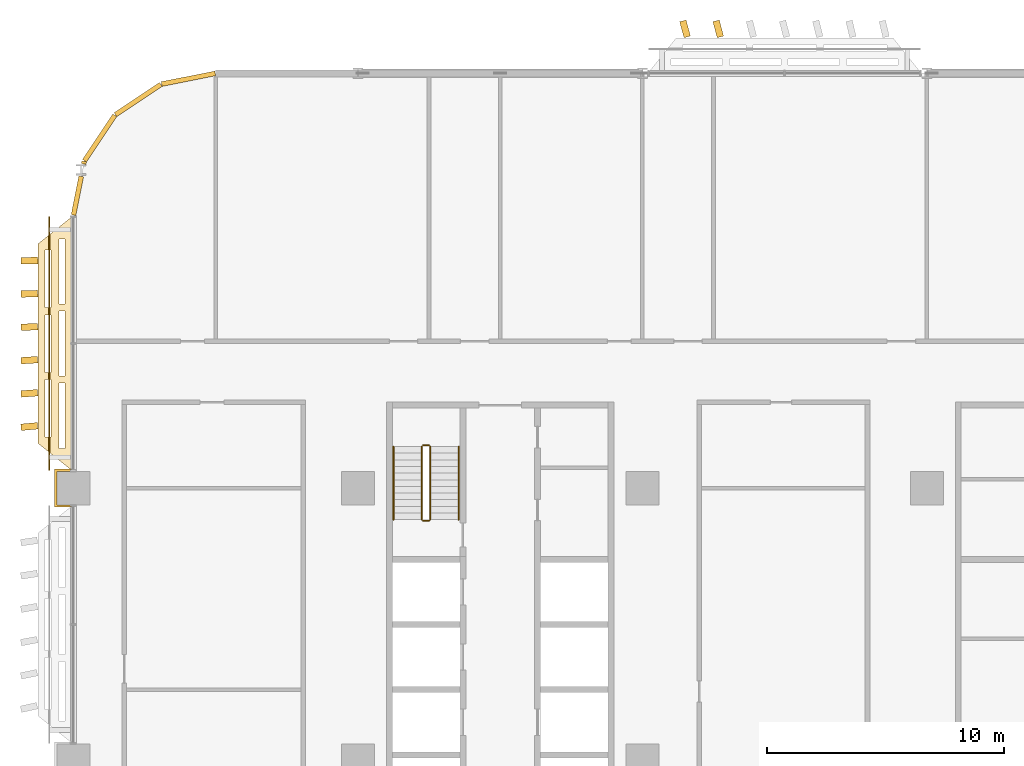
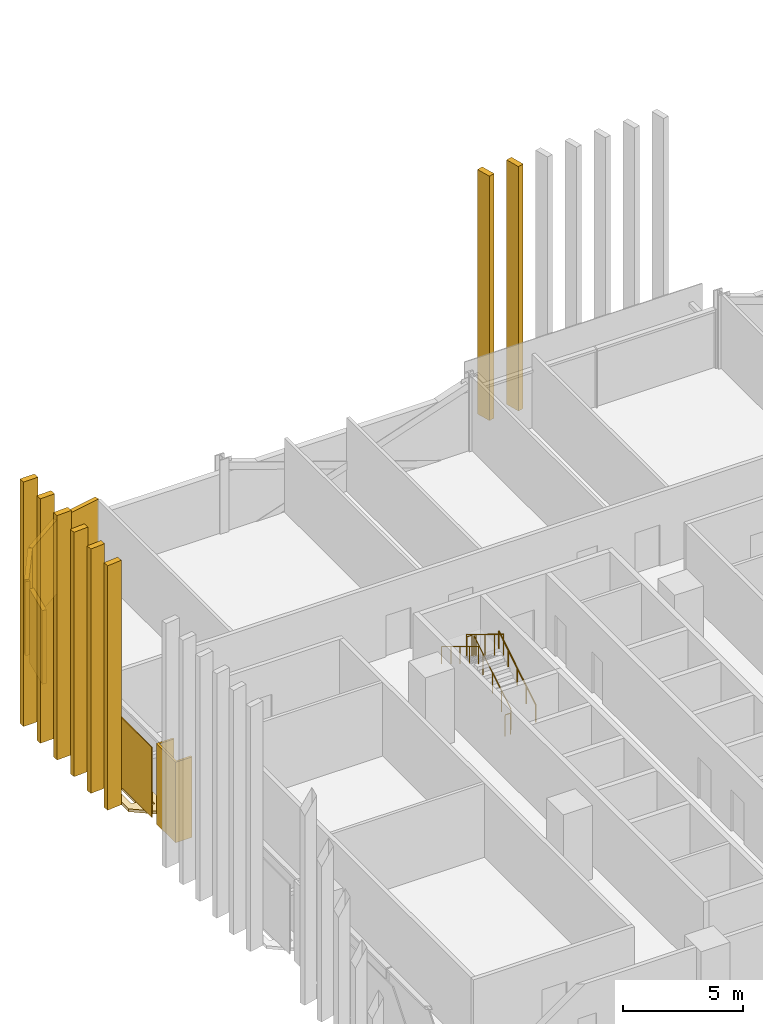
# One storey, part 26 of 31: 16 coverings, 6 railings.
"""IFC4 building model written with IfcOpenShell, lengths in metres."""

from ifc_helpers import new_model, si_unit, direction, frame, origin, origin_2d, place, context, subcontext, project, spatial, polyline, rectangle, circle, outline, extrude, material, layer, layer_set, type_object, element, save


model = new_model("IFC4")

# Units and contexts
model_context = context("Model", 3, precision=1e-05, world=origin(), true_north=direction((0.0, 1.0)))
body_context = subcontext(model_context, "Body", "Model", "MODEL_VIEW")
ifc_project = project(units=[si_unit("LENGTHUNIT", "METRE"), si_unit("AREAUNIT", "SQUARE_METRE"), si_unit("VOLUMEUNIT", "CUBIC_METRE"), si_unit("PLANEANGLEUNIT", "RADIAN"), si_unit("MASSUNIT", "GRAM", prefix="KILO")], contexts=[model_context])

# Site, building, storey
site_placement = place(None, origin())
site = spatial("IfcSite", under=ifc_project, at=site_placement, CompositionType="ELEMENT")
building_placement = place(site_placement, origin())
building = spatial("IfcBuilding", under=site, at=building_placement, Name="Mahtab Terrace Research Tower", CompositionType="ELEMENT")
storey_placement = place(building_placement, frame((0.0, 0.0, 84.800048828125)))
storey = spatial("IfcBuildingStorey", under=building, at=storey_placement, Name="L19", CompositionType="ELEMENT", Elevation=84.800048828125)

# Coverings
ifc_material_1 = material(Name="Black aluminium cladding panel", Category="aluminium")
ifc_layer_1 = layer(ifc_material_1, 0.199951171875)
ifc_layer_set_1 = layer_set([ifc_layer_1], Name="Black metal corner cladding 200")
covering_type_1 = type_object("IfcCoveringType", Name="Black metal corner cladding 200", PredefinedType="CLADDING", material=ifc_layer_set_1)
for number, where, z_axis, x_axis, name in (
    (1, (-37.14794921875, 28.771484375, 0.0), (0.0, 0.0, 1.0), (-0.980760981187, -0.195212442692, 0.0), "Corner cladding L19 11"),
    (2, (-39.26953125, 27.89306640625, 0.0), (0.0, 0.0, 1.0), (-0.831655794326, -0.555291490808, 0.0), "Corner cladding L19 12"),
    (3, (-40.89306640625, 26.26953125, 0.0), (0.0, 0.0, 1.0), (-0.555291490808, -0.831655794326, 0.0), "Corner cladding L19 13"),
):
    element("IfcCovering", number, at=place(storey_placement, frame(where, z_axis=z_axis, x_axis=x_axis)), inside=storey, type_object=covering_type_1, Name=name, PredefinedType="CLADDING", context=body_context, shape_type="SweptSolid", body=[
        extrude(rectangle(XDim=2.30126953125, YDim=0.199951171875, at=origin_2d()), origin(), (0.0, 0.0, 1.0), 3.760009765625),
    ])
covering_1_placement = place(storey_placement, frame((-41.5556640625, 25.231689453125, 0.0), z_axis=(0.0, 0.0, 1.0), x_axis=(-0.195212442692, -0.980760981187, 0.0)))
element("IfcCovering", 4, at=covering_1_placement, inside=storey, type_object=covering_type_1, Name="Corner cladding L19 14", PredefinedType="CLADDING", context=body_context, shape_type="SweptSolid", body=[
    extrude(rectangle(XDim=0.11083984375, YDim=0.199951171875, at=origin_2d()), origin(), (0.0, 0.0, 1.0), 3.760009765625),
])
covering_2_placement = place(storey_placement, frame((-41.833740234375, 23.83544921875, 0.0), z_axis=(0.0, 0.0, 1.0), x_axis=(-0.195212442692, -0.980760981187, 0.0)))
element("IfcCovering", 5, at=covering_2_placement, inside=storey, type_object=covering_type_1, Name="Corner cladding L19 15", PredefinedType="CLADDING", context=body_context, shape_type="SweptSolid", body=[
    extrude(rectangle(XDim=1.6640625, YDim=0.199951171875, at=origin_2d()), origin(), (0.0, 0.0, 1.0), 3.760009765625),
])
ifc_material_2 = material(Name="Dark anodised aluminium cladding", Category="aluminium")
ifc_layer_2 = layer(ifc_material_2, 0.10009765625)
ifc_layer_set_2 = layer_set([ifc_layer_2], Name="Column casing 100")
covering_type_2 = type_object("IfcCoveringType", Name="Column casing 100", PredefinedType="CLADDING", material=ifc_layer_set_2)
covering_3_placement = place(storey_placement, frame((0.0, 0.0, -0.340087890625)))
element("IfcCovering", 6, at=covering_3_placement, inside=storey, type_object=covering_type_2, Name="Column casing RC-1C L19", PredefinedType="CLADDING", context=body_context, shape_type="SweptSolid", body=[
    extrude(outline(polyline([(-42.800048828125, 12.300048828125), (-42.0, 12.300048828125), (-42.0, 12.199951171875), (-42.699951171875, 12.199951171875), (-42.699951171875, 10.800048828125), (-42.0, 10.800048828125), (-42.0, 10.699951171875), (-42.800048828125, 10.699951171875), (-42.800048828125, 12.300048828125)])), origin(), (0.0, 0.0, 1.0), 4.10009765625),
])
ifc_material_3 = material(Name="Black anodised aluminium", Category="aluminium")
ifc_layer_3 = layer(ifc_material_3, 0.14990234375)
ifc_layer_set_3 = layer_set([ifc_layer_3], Name="Horizontal sunshade band")
covering_type_3 = type_object("IfcCoveringType", Name="Horizontal sunshade band", PredefinedType="CLADDING", material=ifc_layer_set_3)
covering_4_placement = place(storey_placement, frame((0.0, 0.0, -0.150146484375)))
element("IfcCovering", 7, at=covering_4_placement, inside=storey, type_object=covering_type_3, Name="Sunshade band L19 16", PredefinedType="CLADDING", context=body_context, shape_type="SweptSolid", body=[
    extrude(outline(polyline([(-42.0, 23.0), (-42.0, 12.199951171875), (-43.5, 13.39990234375), (-43.5, 21.800048828125), (-42.0, 23.0)]), holes=[polyline([(-42.35009765625, 22.02001953125), (-42.35009765625, 19.27294921875), (-42.60009765625, 19.27294921875), (-42.60009765625, 22.02001953125), (-42.35009765625, 22.02001953125)]), polyline([(-42.35009765625, 18.972900390625), (-42.35009765625, 16.22705078125), (-42.60009765625, 16.22705078125), (-42.60009765625, 18.972900390625), (-42.35009765625, 18.972900390625)]), polyline([(-42.35009765625, 15.927001953125), (-42.35009765625, 13.179931640625), (-42.60009765625, 13.179931640625), (-42.60009765625, 15.927001953125), (-42.35009765625, 15.927001953125)]), polyline([(-42.949951171875, 21.5400390625), (-42.949951171875, 19.113037109375), (-43.199951171875, 19.113037109375), (-43.199951171875, 21.5400390625), (-42.949951171875, 21.5400390625)]), polyline([(-42.949951171875, 18.81298828125), (-42.949951171875, 16.386962890625), (-43.199951171875, 16.386962890625), (-43.199951171875, 18.81298828125), (-42.949951171875, 18.81298828125)]), polyline([(-42.949951171875, 16.0869140625), (-42.949951171875, 13.659912109375), (-43.199951171875, 13.659912109375), (-43.199951171875, 16.0869140625), (-42.949951171875, 16.0869140625)])]), origin(), (0.0, 0.0, 1.0), 0.150146484375),
])
ifc_material_4 = material(Name="Bronze anodised aluminium", Category="aluminium")
ifc_layer_4 = layer(ifc_material_4, 0.050048828125)
ifc_layer_set_4 = layer_set([ifc_layer_4], Name="Sky lounge girih screen panel")
covering_type_4 = type_object("IfcCoveringType", Name="Sky lounge girih screen panel", PredefinedType="CLADDING", material=ifc_layer_set_4)
covering_5_placement = place(storey_placement, frame((-43.02490234375, 17.60009765625, 0.099853515625), z_axis=(0.0, 0.0, 1.0), x_axis=(0.0, -1.0, 0.0)))
element("IfcCovering", 8, at=covering_5_placement, inside=storey, type_object=covering_type_4, Name="Girih screen L19 W17", PredefinedType="CLADDING", context=body_context, shape_type="SweptSolid", body=[
    extrude(rectangle(XDim=10.699951171875, YDim=0.050048828125, at=origin_2d()), origin(), (0.0, 0.0, 1.0), 3.56005859375),
])

# Railings
ifc_material_5 = material(Name="Stainless steel AISI 304", Category="steel")
railing_type_1 = type_object("IfcRailingType", Name="Stair guard 1100", PredefinedType="GUARDRAIL", material=ifc_material_5)
railing_1_placement = place(storey_placement, frame((-26.949951171875, 10.175048828125, 0.1708984375)))
element("IfcRailing", 9, at=railing_1_placement, inside=storey, type_object=railing_type_1, Name="L19 ST1 stair guard 1", PredefinedType="GUARDRAIL", context=body_context, shape_type="SweptSolid", body=[
    extrude(circle(Radius=0.02392578125, at=origin_2d()), frame((0.0, 0.0, 1.076171875), z_axis=(0.0, 0.853647949592, 0.520850437417), x_axis=(-1.0, 0.0, 0.0)), (0.0, 0.0, 1.0), 3.60791015625),
    extrude(circle(Radius=0.02099609375, at=origin_2d()), origin(), (0.0, 0.0, 1.0), 1.052001953125),
    extrude(circle(Radius=0.02099609375, at=origin_2d()), frame((0.0, 0.77001953125, 0.4697265625)), (0.0, 0.0, 1.0), 1.052001953125),
    extrude(circle(Radius=0.02099609375, at=origin_2d()), frame((0.0, 1.5400390625, 0.939453125)), (0.0, 0.0, 1.0), 1.052001953125),
    extrude(circle(Radius=0.02099609375, at=origin_2d()), frame((0.0, 2.309814453125, 1.409423828125)), (0.0, 0.0, 1.0), 1.052001953125),
    extrude(circle(Radius=0.02099609375, at=origin_2d()), frame((0.0, 3.079833984375, 1.879150390625)), (0.0, 0.0, 1.0), 1.052001953125),
])
railing_2_placement = place(storey_placement, frame((-27.0, 13.304931640625, 2.050048828125)))
element("IfcRailing", 10, at=railing_2_placement, inside=storey, type_object=railing_type_1, Name="L19 ST1 stair guard 2", PredefinedType="GUARDRAIL", context=body_context, shape_type="SweptSolid", body=[
    extrude(circle(Radius=0.02392578125, at=origin_2d()), frame((0.0, 0.0, 1.076171875), z_axis=(-1.0, 0.0, 0.0), x_axis=(0.0, -1.0, 0.0)), (0.0, 0.0, 1.0), 0.25),
    extrude(circle(Radius=0.02099609375, at=origin_2d()), origin(), (0.0, 0.0, 1.0), 1.052001953125),
    extrude(circle(Radius=0.02099609375, at=origin_2d()), frame((-0.25, 0.0, 0.0)), (0.0, 0.0, 1.0), 1.052001953125),
])
railing_3_placement = place(storey_placement, frame((-27.300048828125, 13.2548828125, 2.220703125)))
element("IfcRailing", 11, at=railing_3_placement, inside=storey, type_object=railing_type_1, Name="L19 ST1 stair guard 3", PredefinedType="GUARDRAIL", context=body_context, shape_type="SweptSolid", body=[
    extrude(circle(Radius=0.02392578125, at=origin_2d()), frame((0.0, 0.0, 1.076171875), z_axis=(0.0, -0.853647949592, 0.520850437417), x_axis=(1.0, 0.0, 0.0)), (0.0, 0.0, 1.0), 3.60791015625),
    extrude(circle(Radius=0.02099609375, at=origin_2d()), origin(), (0.0, 0.0, 1.0), 1.052001953125),
    extrude(circle(Radius=0.02099609375, at=origin_2d()), frame((0.0, -0.77001953125, 0.4697265625)), (0.0, 0.0, 1.0), 1.052001953125),
    extrude(circle(Radius=0.02099609375, at=origin_2d()), frame((0.0, -1.5400390625, 0.939453125)), (0.0, 0.0, 1.0), 1.052001953125),
    extrude(circle(Radius=0.02099609375, at=origin_2d()), frame((0.0, -2.309814453125, 1.409423828125)), (0.0, 0.0, 1.0), 1.052001953125),
    extrude(circle(Radius=0.02099609375, at=origin_2d()), frame((0.0, -3.079833984375, 1.879150390625)), (0.0, 0.0, 1.0), 1.052001953125),
])
railing_4_placement = place(storey_placement, frame((-27.0, 10.125, 0.0)))
element("IfcRailing", 12, at=railing_4_placement, inside=storey, type_object=railing_type_1, Name="L19 ST1 stair guard 4", PredefinedType="GUARDRAIL", context=body_context, shape_type="SweptSolid", body=[
    extrude(circle(Radius=0.02392578125, at=origin_2d()), frame((0.0, 0.0, 1.076171875), z_axis=(-1.0, 0.0, 0.0), x_axis=(0.0, -1.0, 0.0)), (0.0, 0.0, 1.0), 0.25),
    extrude(circle(Radius=0.02099609375, at=origin_2d()), origin(), (0.0, 0.0, 1.0), 1.052001953125),
    extrude(circle(Radius=0.02099609375, at=origin_2d()), frame((-0.25, 0.0, 0.0)), (0.0, 0.0, 1.0), 1.052001953125),
])
railing_type_2 = type_object("IfcRailingType", Name="Stair handrail 900", PredefinedType="HANDRAIL", material=ifc_material_5)
railing_5_placement = place(storey_placement, frame((-25.75, 10.175048828125, 0.1708984375)))
element("IfcRailing", 13, at=railing_5_placement, inside=storey, type_object=railing_type_2, Name="L19 ST1 stair handrail 1", PredefinedType="HANDRAIL", context=body_context, shape_type="SweptSolid", body=[
    extrude(circle(Radius=0.02392578125, at=origin_2d()), frame((0.0, 0.0, 0.8759765625), z_axis=(0.0, 0.853647949592, 0.520850437417), x_axis=(-1.0, 0.0, 0.0)), (0.0, 0.0, 1.0), 3.60791015625),
    extrude(circle(Radius=0.02099609375, at=origin_2d()), origin(), (0.0, 0.0, 1.0), 0.851806640625),
    extrude(circle(Radius=0.02099609375, at=origin_2d()), frame((0.0, 0.77001953125, 0.4697265625)), (0.0, 0.0, 1.0), 0.851806640625),
    extrude(circle(Radius=0.02099609375, at=origin_2d()), frame((0.0, 1.5400390625, 0.939453125)), (0.0, 0.0, 1.0), 0.851806640625),
    extrude(circle(Radius=0.02099609375, at=origin_2d()), frame((0.0, 2.309814453125, 1.409423828125)), (0.0, 0.0, 1.0), 0.851806640625),
    extrude(circle(Radius=0.02099609375, at=origin_2d()), frame((0.0, 3.079833984375, 1.879150390625)), (0.0, 0.0, 1.0), 0.851806640625),
])
railing_6_placement = place(storey_placement, frame((-28.5, 13.2548828125, 2.220703125)))
element("IfcRailing", 14, at=railing_6_placement, inside=storey, type_object=railing_type_2, Name="L19 ST1 stair handrail 2", PredefinedType="HANDRAIL", context=body_context, shape_type="SweptSolid", body=[
    extrude(circle(Radius=0.02392578125, at=origin_2d()), frame((0.0, 0.0, 0.8759765625), z_axis=(0.0, -0.853647949592, 0.520850437417), x_axis=(1.0, 0.0, 0.0)), (0.0, 0.0, 1.0), 3.60791015625),
    extrude(circle(Radius=0.02099609375, at=origin_2d()), origin(), (0.0, 0.0, 1.0), 0.851806640625),
    extrude(circle(Radius=0.02099609375, at=origin_2d()), frame((0.0, -0.77001953125, 0.4697265625)), (0.0, 0.0, 1.0), 0.851806640625),
    extrude(circle(Radius=0.02099609375, at=origin_2d()), frame((0.0, -1.5400390625, 0.939453125)), (0.0, 0.0, 1.0), 0.851806640625),
    extrude(circle(Radius=0.02099609375, at=origin_2d()), frame((0.0, -2.309814453125, 1.409423828125)), (0.0, 0.0, 1.0), 0.851806640625),
    extrude(circle(Radius=0.02099609375, at=origin_2d()), frame((0.0, -3.079833984375, 1.879150390625)), (0.0, 0.0, 1.0), 0.851806640625),
])

# Coverings
ifc_layer_5 = layer(ifc_material_4, 0.1201171875)
ifc_layer_set_5 = layer_set([ifc_layer_5], Name="Vertical fin 700")
covering_type_5 = type_object("IfcCoveringType", Name="Vertical fin 700", PredefinedType="CLADDING", material=ifc_layer_set_5)
for number, where, z_axis, x_axis, name in (
    (15, (-14.800048828125, 30.874267578125, -0.14990234375), (0.0, 0.0, 1.0), (-0.966140599544, -0.25801616599, 0.0), "Fin L19 N6"),
    (16, (-16.199951171875, 30.87451171875, -0.14990234375), (0.0, 0.0, 1.0), (-0.964623180667, -0.263632546017, 0.0), "Fin L19 N7"),
    (17, (-43.852783203125, 21.10009765625, -0.14990234375), (0.0, 0.0, 1.0), (0.019505384007, -0.9998097519, 0.0), "Fin L19 W1"),
    (18, (-43.8544921875, 19.699951171875, -0.14990234375), (0.0, 0.0, 1.0), (0.033873439647, -0.99942613038, 0.0), "Fin L19 W2"),
    (19, (-43.8564453125, 18.300048828125, -0.14990234375), (0.0, 0.0, 1.0), (0.048234497418, -0.998836039227, 0.0), "Fin L19 W3"),
    (20, (-43.858154296875, 16.89990234375, -0.14990234375), (0.0, 0.0, 1.0), (0.062585590529, -0.998039600346, 0.0), "Fin L19 W4"),
    (21, (-43.859619140625, 15.5, -0.14990234375), (0.0, 0.0, 1.0), (0.076923754197, -0.997036978271, 0.0), "Fin L19 W5"),
    (22, (-43.861328125, 14.10009765625, -0.14990234375), (0.0, 0.0, 1.0), (0.091246026325, -0.995828380134, 0.0), "Fin L19 W6"),
):
    element("IfcCovering", number, at=place(storey_placement, frame(where, z_axis=z_axis, x_axis=x_axis)), inside=storey, type_object=covering_type_5, Name=name, PredefinedType="CLADDING", context=body_context, shape_type="SweptSolid", body=[
        extrude(rectangle(XDim=0.280029296875, YDim=0.699951171875, at=origin_2d()), origin(), (0.0, 0.0, 1.0), 12.449951171875),
    ])

save(model, "model.ifc")
